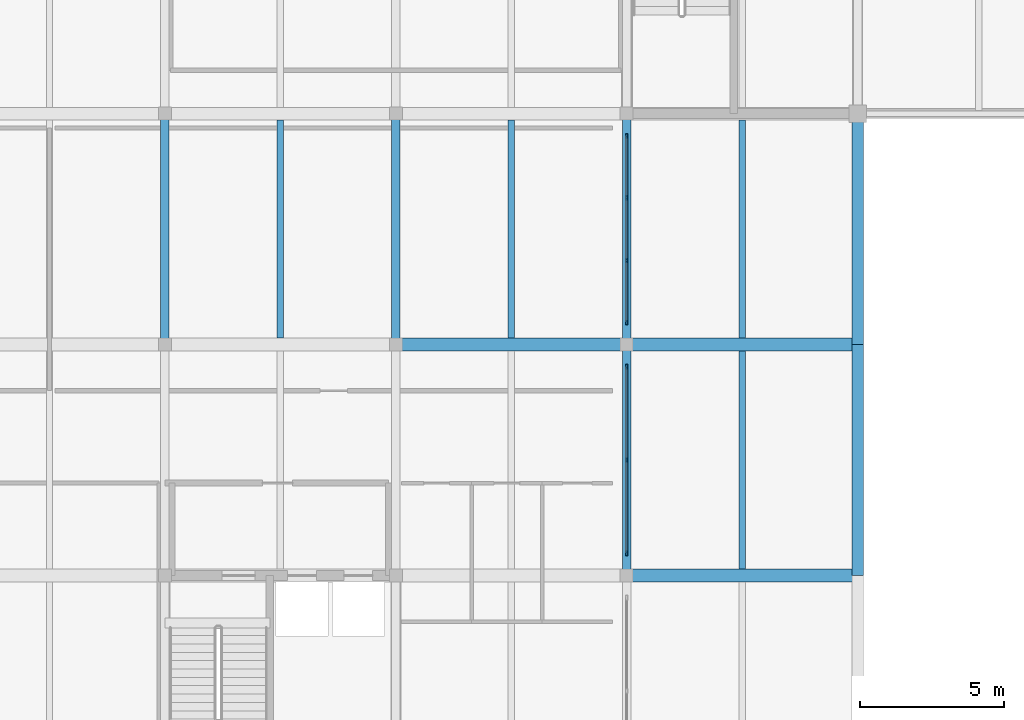
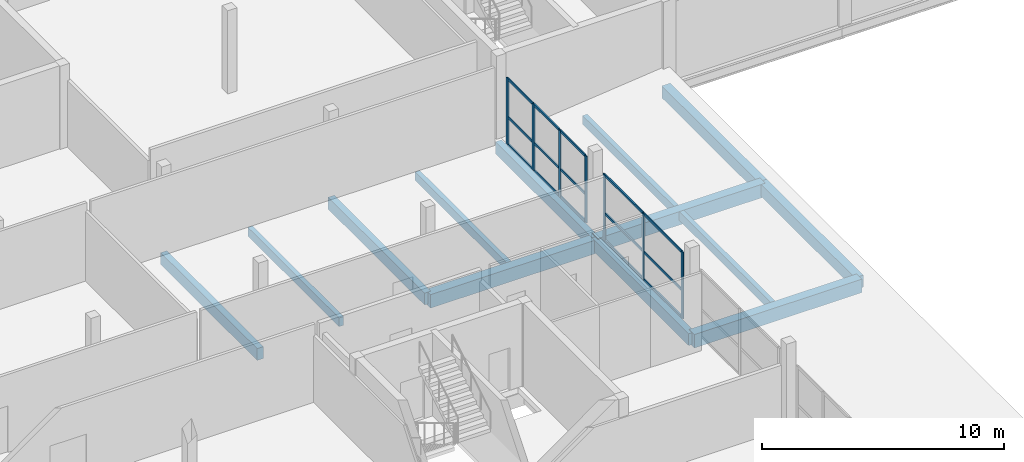
# One storey, part 15 of 53: 22 members, 13 beams, 2 elements without a shape of their own.
"""IFC4 building model written with IfcOpenShell, lengths in metres."""

from ifc_helpers import new_model, si_unit, direction, frame, origin, origin_2d, place, context, subcontext, project, spatial, rectangle, extrude, material, material_profile, profile_set, type_object, element, aggregate, save


model = new_model("IFC4")

# Units and contexts
model_context = context("Model", 3, precision=1e-05, world=origin(), true_north=direction((0.0, 1.0)))
body_context = subcontext(model_context, "Body", "Model", "MODEL_VIEW")
ifc_project = project(units=[si_unit("LENGTHUNIT", "METRE"), si_unit("AREAUNIT", "SQUARE_METRE"), si_unit("VOLUMEUNIT", "CUBIC_METRE"), si_unit("PLANEANGLEUNIT", "RADIAN"), si_unit("MASSUNIT", "GRAM", prefix="KILO")], contexts=[model_context])

# Site, building, storey
site_placement = place(None, origin())
site = spatial("IfcSite", under=ifc_project, at=site_placement, CompositionType="ELEMENT")
building_placement = place(site_placement, origin())
building = spatial("IfcBuilding", under=site, at=building_placement, Name="Vharandega Faculty of Natural Sciences", CompositionType="ELEMENT")
storey_placement = place(building_placement, frame((0.0, 0.0, 10.199951171875)))
storey = spatial("IfcBuildingStorey", under=building, at=storey_placement, Name="L02", CompositionType="ELEMENT", Elevation=10.199951171875)

# Curtain wall, members
ifc_material_1 = material(Name="Aluminium and solar-control glass curtain wall", Category="aluminium")
curtain_wall_type_1 = type_object("IfcCurtainWallType", Name="Unitised Curtain Wall System CW-28", PredefinedType="NOTDEFINED", material=ifc_material_1)
curtain_wall_1_placement = place(storey_placement, origin())
curtain_wall_1 = element("IfcCurtainWall", 1, at=curtain_wall_1_placement, inside=storey, type_object=curtain_wall_type_1, Name="Curtain Wall CW-L02-139", PredefinedType="NOTDEFINED")
ifc_material_2 = material(Name="Thermally broken aluminium 6063-T6", Category="aluminium")
ifc_material_profile_1 = material_profile(ifc_material_2, rectangle(XDim=0.06005859375, YDim=0.159912109375, at=origin_2d()), Name="ALU 60x160")
ifc_profile_set_1 = profile_set([ifc_material_profile_1], Name="Thermally broken aluminium 6063-T6")
member_type_1 = type_object("IfcMemberType", Name="CW Mullion 60x160", PredefinedType="MULLION", material=ifc_profile_set_1)
member_1_placement = place(storey_placement, frame((48.0, 48.77001953125, 0.0), z_axis=(0.0, 0.0, 1.0), x_axis=(-1.0, 0.0, 0.0)))
member_1 = element("IfcMember", 2, at=member_1_placement, type_object=member_type_1, Name="CW-28 mullion 1", PredefinedType="MULLION", context=body_context, shape_type="SweptSolid", body=[
    extrude(rectangle(XDim=0.06005859375, YDim=0.159912109375, at=origin_2d()), origin(), (0.0, 0.0, 1.0), 3.360107421875),
])
member_2_placement = place(storey_placement, frame((48.0, 52.0, 0.0), z_axis=(0.0, 0.0, 1.0), x_axis=(-1.0, 0.0, 0.0)))
member_2 = element("IfcMember", 3, at=member_2_placement, type_object=member_type_1, Name="CW-28 mullion 2", PredefinedType="MULLION", context=body_context, shape_type="SweptSolid", body=[
    extrude(rectangle(XDim=0.06005859375, YDim=0.159912109375, at=origin_2d()), origin(), (0.0, 0.0, 1.0), 3.360107421875),
])
member_3_placement = place(storey_placement, frame((48.0, 55.22998046875, 0.0), z_axis=(0.0, 0.0, 1.0), x_axis=(-1.0, 0.0, 0.0)))
member_3 = element("IfcMember", 4, at=member_3_placement, type_object=member_type_1, Name="CW-28 mullion 3", PredefinedType="MULLION", context=body_context, shape_type="SweptSolid", body=[
    extrude(rectangle(XDim=0.06005859375, YDim=0.159912109375, at=origin_2d()), origin(), (0.0, 0.0, 1.0), 3.360107421875),
])

ifc_material_3 = material(Name="Aluminium and solar-control glass curtain wall", Category="aluminium")
curtain_wall_type_2 = type_object("IfcCurtainWallType", Name="Unitised Curtain Wall System CW-01", PredefinedType="NOTDEFINED", material=ifc_material_3)
curtain_wall_2_placement = place(storey_placement, origin())
curtain_wall_2 = element("IfcCurtainWall", 5, at=curtain_wall_2_placement, inside=storey, type_object=curtain_wall_type_2, Name="Curtain Wall CW-L02-140", PredefinedType="NOTDEFINED")
member_4_placement = place(storey_placement, frame((48.0, 56.77001953125, 0.0), z_axis=(0.0, 0.0, 1.0), x_axis=(-1.0, 0.0, 0.0)))
member_4 = element("IfcMember", 6, at=member_4_placement, type_object=member_type_1, Name="CW-01 mullion 1", PredefinedType="MULLION", context=body_context, shape_type="SweptSolid", body=[
    extrude(rectangle(XDim=0.06005859375, YDim=0.159912109375, at=origin_2d()), origin(), (0.0, 0.0, 1.0), 3.360107421875),
])
member_5_placement = place(storey_placement, frame((48.0, 58.913330078125, 0.0), z_axis=(0.0, 0.0, 1.0), x_axis=(-1.0, 0.0, 0.0)))
member_5 = element("IfcMember", 7, at=member_5_placement, type_object=member_type_1, Name="CW-01 mullion 2", PredefinedType="MULLION", context=body_context, shape_type="SweptSolid", body=[
    extrude(rectangle(XDim=0.06005859375, YDim=0.159912109375, at=origin_2d()), origin(), (0.0, 0.0, 1.0), 3.360107421875),
])
member_6_placement = place(storey_placement, frame((48.0, 61.086669921875, 0.0), z_axis=(0.0, 0.0, 1.0), x_axis=(-1.0, 0.0, 0.0)))
member_6 = element("IfcMember", 8, at=member_6_placement, type_object=member_type_1, Name="CW-01 mullion 3", PredefinedType="MULLION", context=body_context, shape_type="SweptSolid", body=[
    extrude(rectangle(XDim=0.06005859375, YDim=0.159912109375, at=origin_2d()), origin(), (0.0, 0.0, 1.0), 3.360107421875),
])
member_7_placement = place(storey_placement, frame((48.0, 63.22998046875, 0.0), z_axis=(0.0, 0.0, 1.0), x_axis=(-1.0, 0.0, 0.0)))
member_7 = element("IfcMember", 9, at=member_7_placement, type_object=member_type_1, Name="CW-01 mullion 4", PredefinedType="MULLION", context=body_context, shape_type="SweptSolid", body=[
    extrude(rectangle(XDim=0.06005859375, YDim=0.159912109375, at=origin_2d()), origin(), (0.0, 0.0, 1.0), 3.360107421875),
])

# Member
ifc_material_4 = material(Name="Thermally broken aluminium 6063-T6", Category="aluminium")
ifc_material_profile_2 = material_profile(ifc_material_4, rectangle(XDim=0.06005859375, YDim=0.1201171875, at=origin_2d()), Name="ALU 60x120")
ifc_profile_set_2 = profile_set([ifc_material_profile_2], Name="Thermally broken aluminium 6063-T6")
member_type_2 = type_object("IfcMemberType", Name="CW Transom 60x120", PredefinedType="USERDEFINED", material=ifc_profile_set_2)
member_8_placement = place(storey_placement, frame((48.0, 48.800048828125, 0.030029296875), z_axis=(0.0, 1.0, 0.0), x_axis=(-1.0, 0.0, 0.0)))
member_8 = element("IfcMember", 10, at=member_8_placement, type_object=member_type_2, Name="CW-28 transom 1.1", ObjectType="TRANSOM", PredefinedType="USERDEFINED", context=body_context, shape_type="SweptSolid", body=[
    extrude(rectangle(XDim=0.06005859375, YDim=0.1201171875, at=origin_2d()), origin(), (0.0, 0.0, 1.0), 3.169921875),
])

member_9_placement = place(storey_placement, frame((48.0, 48.800048828125, 1.4111328125), z_axis=(0.0, 1.0, 0.0), x_axis=(-1.0, 0.0, 0.0)))
member_9 = element("IfcMember", 11, at=member_9_placement, type_object=member_type_2, Name="CW-28 transom 1.2", ObjectType="TRANSOM", PredefinedType="USERDEFINED", context=body_context, shape_type="SweptSolid", body=[
    extrude(rectangle(XDim=0.06005859375, YDim=0.1201171875, at=origin_2d()), origin(), (0.0, 0.0, 1.0), 3.169921875),
])

member_10_placement = place(storey_placement, frame((48.0, 48.800048828125, 3.330078125), z_axis=(0.0, 1.0, 0.0), x_axis=(-1.0, 0.0, 0.0)))
member_10 = element("IfcMember", 12, at=member_10_placement, type_object=member_type_2, Name="CW-28 transom 1.3", ObjectType="TRANSOM", PredefinedType="USERDEFINED", context=body_context, shape_type="SweptSolid", body=[
    extrude(rectangle(XDim=0.06005859375, YDim=0.1201171875, at=origin_2d()), origin(), (0.0, 0.0, 1.0), 3.169921875),
])

member_11_placement = place(storey_placement, frame((48.0, 52.030029296875, 0.030029296875), z_axis=(0.0, 1.0, 0.0), x_axis=(-1.0, 0.0, 0.0)))
member_11 = element("IfcMember", 13, at=member_11_placement, type_object=member_type_2, Name="CW-28 transom 2.1", ObjectType="TRANSOM", PredefinedType="USERDEFINED", context=body_context, shape_type="SweptSolid", body=[
    extrude(rectangle(XDim=0.06005859375, YDim=0.1201171875, at=origin_2d()), origin(), (0.0, 0.0, 1.0), 3.169921875),
])

member_12_placement = place(storey_placement, frame((48.0, 52.030029296875, 1.4111328125), z_axis=(0.0, 1.0, 0.0), x_axis=(-1.0, 0.0, 0.0)))
member_12 = element("IfcMember", 14, at=member_12_placement, type_object=member_type_2, Name="CW-28 transom 2.2", ObjectType="TRANSOM", PredefinedType="USERDEFINED", context=body_context, shape_type="SweptSolid", body=[
    extrude(rectangle(XDim=0.06005859375, YDim=0.1201171875, at=origin_2d()), origin(), (0.0, 0.0, 1.0), 3.169921875),
])

member_13_placement = place(storey_placement, frame((48.0, 52.030029296875, 3.330078125), z_axis=(0.0, 1.0, 0.0), x_axis=(-1.0, 0.0, 0.0)))
member_13 = element("IfcMember", 15, at=member_13_placement, type_object=member_type_2, Name="CW-28 transom 2.3", ObjectType="TRANSOM", PredefinedType="USERDEFINED", context=body_context, shape_type="SweptSolid", body=[
    extrude(rectangle(XDim=0.06005859375, YDim=0.1201171875, at=origin_2d()), origin(), (0.0, 0.0, 1.0), 3.169921875),
])

aggregate(curtain_wall_1, [member_1, member_2, member_3, member_8, member_9, member_10, member_11, member_12, member_13])

member_14_placement = place(storey_placement, frame((48.0, 56.800048828125, 0.030029296875), z_axis=(0.0, 1.0, 0.0), x_axis=(-1.0, 0.0, 0.0)))
member_14 = element("IfcMember", 16, at=member_14_placement, type_object=member_type_2, Name="CW-01 transom 1.1", ObjectType="TRANSOM", PredefinedType="USERDEFINED", context=body_context, shape_type="SweptSolid", body=[
    extrude(rectangle(XDim=0.06005859375, YDim=0.1201171875, at=origin_2d()), origin(), (0.0, 0.0, 1.0), 2.083251953125),
])

member_15_placement = place(storey_placement, frame((48.0, 56.800048828125, 1.4111328125), z_axis=(0.0, 1.0, 0.0), x_axis=(-1.0, 0.0, 0.0)))
member_15 = element("IfcMember", 17, at=member_15_placement, type_object=member_type_2, Name="CW-01 transom 1.2", ObjectType="TRANSOM", PredefinedType="USERDEFINED", context=body_context, shape_type="SweptSolid", body=[
    extrude(rectangle(XDim=0.06005859375, YDim=0.1201171875, at=origin_2d()), origin(), (0.0, 0.0, 1.0), 2.083251953125),
])

member_16_placement = place(storey_placement, frame((48.0, 56.800048828125, 3.330078125), z_axis=(0.0, 1.0, 0.0), x_axis=(-1.0, 0.0, 0.0)))
member_16 = element("IfcMember", 18, at=member_16_placement, type_object=member_type_2, Name="CW-01 transom 1.3", ObjectType="TRANSOM", PredefinedType="USERDEFINED", context=body_context, shape_type="SweptSolid", body=[
    extrude(rectangle(XDim=0.06005859375, YDim=0.1201171875, at=origin_2d()), origin(), (0.0, 0.0, 1.0), 2.083251953125),
])

member_17_placement = place(storey_placement, frame((48.0, 58.943359375, 0.030029296875), z_axis=(0.0, 1.0, 0.0), x_axis=(-1.0, 0.0, 0.0)))
member_17 = element("IfcMember", 19, at=member_17_placement, type_object=member_type_2, Name="CW-01 transom 2.1", ObjectType="TRANSOM", PredefinedType="USERDEFINED", context=body_context, shape_type="SweptSolid", body=[
    extrude(rectangle(XDim=0.06005859375, YDim=0.1201171875, at=origin_2d()), origin(), (0.0, 0.0, 1.0), 2.11328125),
])

member_18_placement = place(storey_placement, frame((48.0, 58.943359375, 1.4111328125), z_axis=(0.0, 1.0, 0.0), x_axis=(-1.0, 0.0, 0.0)))
member_18 = element("IfcMember", 20, at=member_18_placement, type_object=member_type_2, Name="CW-01 transom 2.2", ObjectType="TRANSOM", PredefinedType="USERDEFINED", context=body_context, shape_type="SweptSolid", body=[
    extrude(rectangle(XDim=0.06005859375, YDim=0.1201171875, at=origin_2d()), origin(), (0.0, 0.0, 1.0), 2.11328125),
])

member_19_placement = place(storey_placement, frame((48.0, 58.943359375, 3.330078125), z_axis=(0.0, 1.0, 0.0), x_axis=(-1.0, 0.0, 0.0)))
member_19 = element("IfcMember", 21, at=member_19_placement, type_object=member_type_2, Name="CW-01 transom 2.3", ObjectType="TRANSOM", PredefinedType="USERDEFINED", context=body_context, shape_type="SweptSolid", body=[
    extrude(rectangle(XDim=0.06005859375, YDim=0.1201171875, at=origin_2d()), origin(), (0.0, 0.0, 1.0), 2.11328125),
])

member_20_placement = place(storey_placement, frame((48.0, 61.11669921875, 0.030029296875), z_axis=(0.0, 1.0, 0.0), x_axis=(-1.0, 0.0, 0.0)))
member_20 = element("IfcMember", 22, at=member_20_placement, type_object=member_type_2, Name="CW-01 transom 3.1", ObjectType="TRANSOM", PredefinedType="USERDEFINED", context=body_context, shape_type="SweptSolid", body=[
    extrude(rectangle(XDim=0.06005859375, YDim=0.1201171875, at=origin_2d()), origin(), (0.0, 0.0, 1.0), 2.083251953125),
])

member_21_placement = place(storey_placement, frame((48.0, 61.11669921875, 1.4111328125), z_axis=(0.0, 1.0, 0.0), x_axis=(-1.0, 0.0, 0.0)))
member_21 = element("IfcMember", 23, at=member_21_placement, type_object=member_type_2, Name="CW-01 transom 3.2", ObjectType="TRANSOM", PredefinedType="USERDEFINED", context=body_context, shape_type="SweptSolid", body=[
    extrude(rectangle(XDim=0.06005859375, YDim=0.1201171875, at=origin_2d()), origin(), (0.0, 0.0, 1.0), 2.083251953125),
])

member_22_placement = place(storey_placement, frame((48.0, 61.11669921875, 3.330078125), z_axis=(0.0, 1.0, 0.0), x_axis=(-1.0, 0.0, 0.0)))
member_22 = element("IfcMember", 24, at=member_22_placement, type_object=member_type_2, Name="CW-01 transom 3.3", ObjectType="TRANSOM", PredefinedType="USERDEFINED", context=body_context, shape_type="SweptSolid", body=[
    extrude(rectangle(XDim=0.06005859375, YDim=0.1201171875, at=origin_2d()), origin(), (0.0, 0.0, 1.0), 2.083251953125),
])

aggregate(curtain_wall_2, [member_4, member_5, member_6, member_7, member_14, member_15, member_16, member_17, member_18, member_19, member_20, member_21, member_22])

# Beams
ifc_material_5 = material(Name="Glulam GL28h", Category="wood")
ifc_material_profile_3 = material_profile(ifc_material_5, rectangle(XDim=0.300048828125, YDim=0.60009765625, at=origin_2d()), Name="GL28h 300x600")
ifc_profile_set_3 = profile_set([ifc_material_profile_3], Name="Glulam GL28h")
beam_type_1 = type_object("IfcBeamType", Name="Glulam Floor Beam 300x600", PredefinedType="BEAM", material=ifc_profile_set_3)
for number, where, z_axis, x_axis, name in (
    (25, (32.0, 56.0, -0.579833984375), (0.0, 1.0, 0.0), (-1.0, 0.0, 0.0), "Beam L02 5/H-J"),
    (26, (40.0, 56.0, -0.579833984375), (0.0, 1.0, 0.0), (-1.0, 0.0, 0.0), "Beam L02 6/H-J"),
    (27, (48.0, 48.0, -0.579833984375), (0.0, 1.0, 0.0), (-1.0, 0.0, 0.0), "Beam L02 7/G-H"),
    (28, (48.0, 56.0, -0.579833984375), (0.0, 1.0, 0.0), (-1.0, 0.0, 0.0), "Beam L02 7/H-J"),
):
    element("IfcBeam", number, at=place(storey_placement, frame(where, z_axis=z_axis, x_axis=x_axis)), inside=storey, type_object=beam_type_1, Name=name, PredefinedType="BEAM", context=body_context, shape_type="SweptSolid", body=[
        extrude(rectangle(XDim=0.300048828125, YDim=0.60009765625, at=origin_2d()), origin(), (0.0, 0.0, 1.0), 8.0),
    ])
ifc_material_6 = material(Name="Glulam GL32h", Category="wood")
ifc_material_profile_4 = material_profile(ifc_material_6, rectangle(XDim=0.43994140625, YDim=0.679931640625, at=origin_2d()), Name="GL32h 440x680")
ifc_profile_set_4 = profile_set([ifc_material_profile_4], Name="Glulam GL32h")
beam_type_2 = type_object("IfcBeamType", Name="Glulam Girder 440x680", PredefinedType="BEAM", material=ifc_profile_set_4)
for number, where, z_axis, x_axis, name in (
    (29, (48.0, 48.0, -0.579833984375), (1.0, 0.0, 0.0), (0.0, 1.0, 0.0), "Beam L02 G/7-8"),
    (30, (40.0, 56.0, -0.619873046875), (1.0, 0.0, 0.0), (0.0, 1.0, 0.0), "Beam L02 H/6-7"),
    (31, (48.0, 56.0, -0.579833984375), (1.0, 0.0, 0.0), (0.0, 1.0, 0.0), "Beam L02 H/7-8"),
):
    element("IfcBeam", number, at=place(storey_placement, frame(where, z_axis=z_axis, x_axis=x_axis)), inside=storey, type_object=beam_type_2, Name=name, PredefinedType="BEAM", context=body_context, shape_type="SweptSolid", body=[
        extrude(rectangle(XDim=0.43994140625, YDim=0.679931640625, at=origin_2d()), origin(), (0.0, 0.0, 1.0), 8.0),
    ])
ifc_material_7 = material(Name="Glulam GL28h", Category="wood")
ifc_material_profile_5 = material_profile(ifc_material_7, rectangle(XDim=0.219970703125, YDim=0.43994140625, at=origin_2d()), Name="GL28h 220x440")
ifc_profile_set_5 = profile_set([ifc_material_profile_5], Name="Glulam GL28h")
beam_type_3 = type_object("IfcBeamType", Name="Glulam Secondary Joist 220x440", PredefinedType="JOIST", material=ifc_profile_set_5)
for number, where, z_axis, x_axis, name in (
    (32, (36.0, 56.219970703125, -0.5), (0.0, 1.0, 0.0), (-1.0, 0.0, 0.0), "Secondary Joist L02 5-6/H-J"),
    (33, (44.0, 56.219970703125, -0.5), (0.0, 1.0, 0.0), (-1.0, 0.0, 0.0), "Secondary Joist L02 6-7/H-J"),
    (34, (52.0, 48.219970703125, -0.4599609375), (0.0, 1.0, 0.0), (-1.0, 0.0, 0.0), "Secondary Joist L02 7-8/G-H"),
    (35, (52.0, 56.219970703125, -0.4599609375), (0.0, 1.0, 0.0), (-1.0, 0.0, 0.0), "Secondary Joist L02 7-8/H-J"),
):
    element("IfcBeam", number, at=place(storey_placement, frame(where, z_axis=z_axis, x_axis=x_axis)), inside=storey, type_object=beam_type_3, Name=name, PredefinedType="JOIST", context=body_context, shape_type="SweptSolid", body=[
        extrude(rectangle(XDim=0.219970703125, YDim=0.43994140625, at=origin_2d()), origin(), (0.0, 0.0, 1.0), 7.56005859375),
    ])
ifc_material_8 = material(Name="Glulam GL32h", Category="wood")
ifc_material_profile_6 = material_profile(ifc_material_8, rectangle(XDim=0.39990234375, YDim=0.60009765625, at=origin_2d()), Name="GL32h 400x600")
ifc_profile_set_6 = profile_set([ifc_material_profile_6], Name="Glulam GL32h")
beam_type_4 = type_object("IfcBeamType", Name="Glulam Spine Girder 400x600", PredefinedType="BEAM", material=ifc_profile_set_6)
for number, where, z_axis, x_axis, name in (
    (36, (56.0, 48.0, -0.5400390625), (0.0, 1.0, 0.0), (-1.0, 0.0, 0.0), "Beam L02 8/G-H"),
    (37, (56.0, 56.0, -0.5400390625), (0.0, 1.0, 0.0), (-1.0, 0.0, 0.0), "Beam L02 8/H-J"),
):
    element("IfcBeam", number, at=place(storey_placement, frame(where, z_axis=z_axis, x_axis=x_axis)), inside=storey, type_object=beam_type_4, Name=name, PredefinedType="BEAM", context=body_context, shape_type="SweptSolid", body=[
        extrude(rectangle(XDim=0.39990234375, YDim=0.60009765625, at=origin_2d()), origin(), (0.0, 0.0, 1.0), 8.0),
    ])

save(model, "model.ifc")
